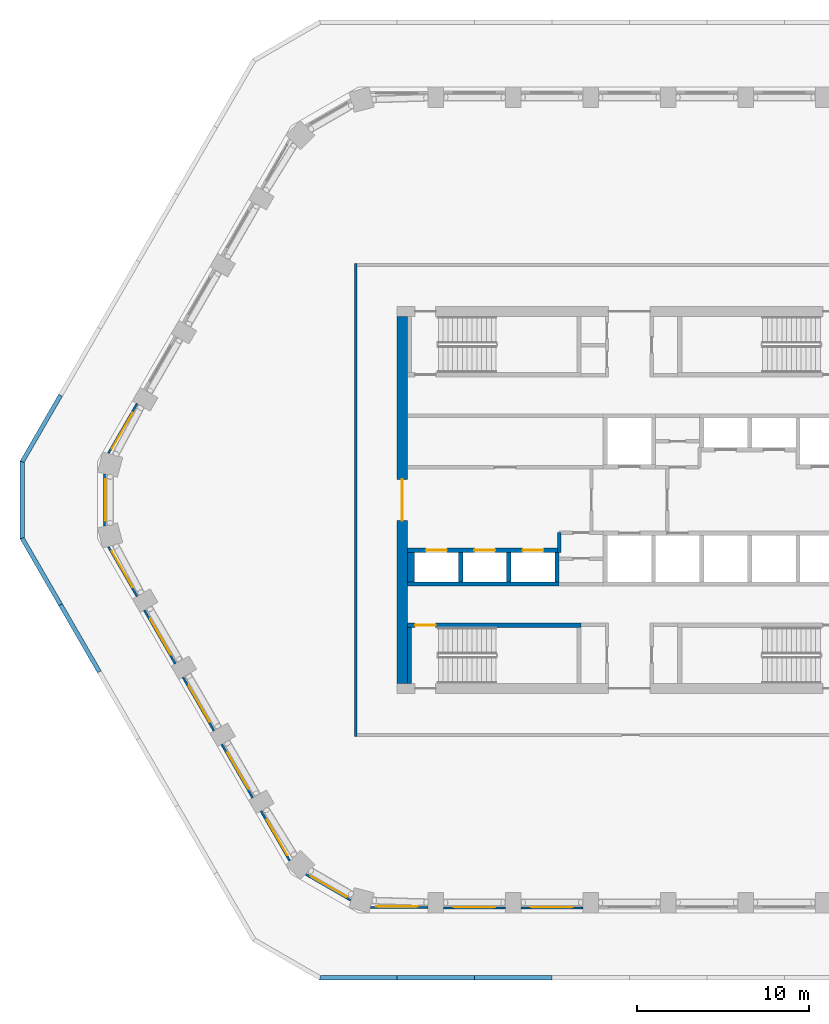
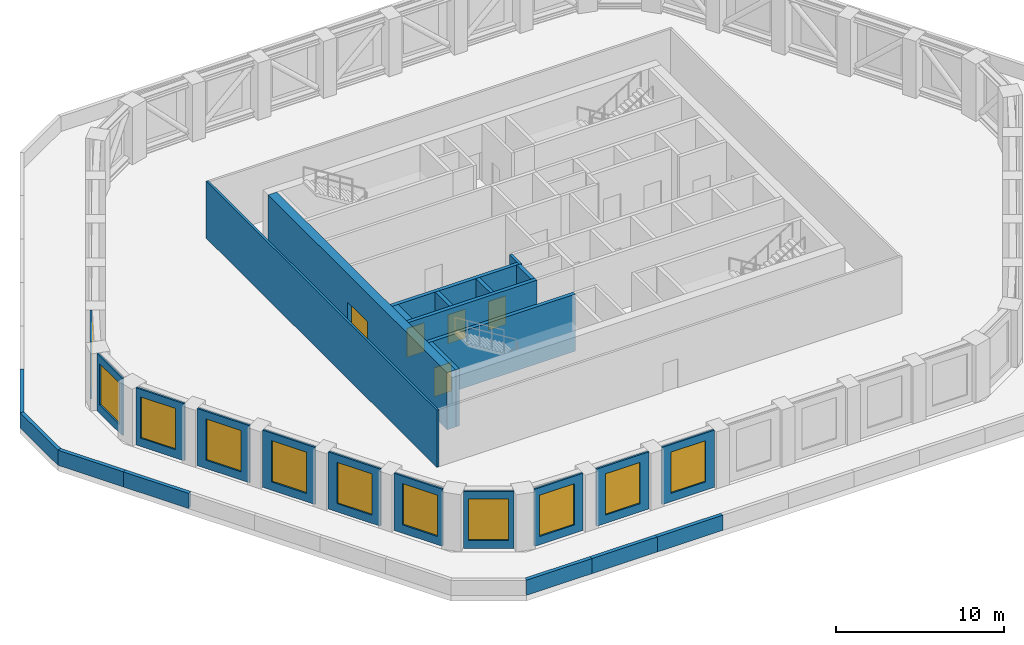
# One storey, part 3 of 14: 29 walls, 11 windows, 5 doors, 16 openings.
"""IFC4 building model written with IfcOpenShell, lengths in metres."""

from ifc_helpers import new_model, si_unit, direction, frame, frame_2d, origin, place, context, subcontext, project, spatial, polyline, rectangle, outline, extrude, material, layer, layer_set, type_object, element, fill, save


model = new_model("IFC4")

# Units and contexts
model_context = context("Model", 3, precision=1e-05, world=origin(), true_north=direction((0.0, 1.0)))
body_context = subcontext(model_context, "Body", "Model", "MODEL_VIEW")
ifc_project = project(units=[si_unit("LENGTHUNIT", "METRE"), si_unit("AREAUNIT", "SQUARE_METRE"), si_unit("VOLUMEUNIT", "CUBIC_METRE"), si_unit("PLANEANGLEUNIT", "RADIAN"), si_unit("MASSUNIT", "GRAM", prefix="KILO")], contexts=[model_context])

# Site, building, storey
site_placement = place(None, origin())
site = spatial("IfcSite", under=ifc_project, at=site_placement, CompositionType="ELEMENT")
building_placement = place(site_placement, origin())
building = spatial("IfcBuilding", under=site, at=building_placement, Name="Dhurran Vertical Campus", CompositionType="ELEMENT")
storey_placement = place(building_placement, frame((0.0, 0.0, 179.39990234375)))
storey = spatial("IfcBuildingStorey", under=building, at=storey_placement, Name="L44 Plant", CompositionType="ELEMENT", Elevation=179.39990234375)

# Wall, opening, window
ifc_material_1 = material(Name="Precast concrete C50/60", Category="concrete")
ifc_layer_1 = layer(ifc_material_1, 0.1201171875)
ifc_layer_set_1 = layer_set([ifc_layer_1], Name="Precast concrete C50/60")
wall_type_1 = type_object("IfcWallType", Name="Precast louvre-bay panel 120", PredefinedType="SOLIDWALL", material=ifc_layer_set_1)
wall_1_placement = place(storey_placement, frame((-15.02783203125, -23.66943359375, 0.0), z_axis=(0.0, 0.0, 1.0), x_axis=(1.0, 0.0, 0.0)))
wall_1 = element("IfcWall", 1, at=wall_1_placement, inside=storey, type_object=wall_type_1, Name="EW4 L44.00", PredefinedType="SOLIDWALL", context=body_context, shape_type="SweptSolid", body=[
    extrude(rectangle(XDim=3.327392578125, YDim=0.1201171875, at=frame_2d((1.66357421875, 0.0))), origin(), (0.0, 0.0, 1.0), 4.150146484375),
])
opening_1_placement = place(wall_1_placement, frame((0.327880859375, 0.0, 0.60009765625)))
opening_1 = element("IfcOpeningElement", 2, at=opening_1_placement, cuts=wall_1, Name="Opening WT4", PredefinedType="OPENING", context=body_context, shape_type="SweptSolid", body=[
    extrude(rectangle(XDim=2.39990234375, YDim=3.0, at=frame_2d((1.199951171875, 1.5))), frame((0.0, 0.070068359375, 0.0), z_axis=(0.0, -1.0, 0.0), x_axis=(1.0, 0.0, 0.0)), (0.0, 0.0, 1.0), 0.14013671875),
])
ifc_material_2 = material(Name="Aluminium louvre", Category="aluminium")
window_type = type_object("IfcWindowType", Name="Louvred plant vent 2400 x 3000", PartitioningType="SINGLE_PANEL", PredefinedType="WINDOW", material=ifc_material_2)
window_1_placement = place(opening_1_placement, origin())
window_1 = element("IfcWindow", 3, at=window_1_placement, inside=storey, type_object=window_type, Name="WT4 L44.00", OverallHeight=3.0, OverallWidth=2.39990234375, PartitioningType="SINGLE_PANEL", PredefinedType="WINDOW", context=body_context, shape_type="SweptSolid", body=[
    extrude(rectangle(XDim=2.39990234375, YDim=3.0, at=frame_2d((1.199951171875, 1.5))), frame((0.0, 0.06005859375, 0.0), z_axis=(0.0, -1.0, 0.0), x_axis=(1.0, 0.0, 0.0)), (0.0, 0.0, 1.0), 0.02001953125),
])
fill(opening_1, window_1)

wall_2_placement = place(storey_placement, frame((-10.799560546875, -23.705322265625, 0.0), z_axis=(0.0, 0.0, 1.0), x_axis=(1.0, 0.0, 0.0)))
wall_2 = element("IfcWall", 4, at=wall_2_placement, inside=storey, type_object=wall_type_1, Name="EW4 L44.01", PredefinedType="SOLIDWALL", context=body_context, shape_type="SweptSolid", body=[
    extrude(rectangle(XDim=3.59912109375, YDim=0.1201171875, at=frame_2d((1.799560546875, 0.0))), origin(), (0.0, 0.0, 1.0), 4.150146484375),
])
opening_2_placement = place(wall_2_placement, frame((0.599609375, 0.0, 0.60009765625)))
opening_2 = element("IfcOpeningElement", 5, at=opening_2_placement, cuts=wall_2, Name="Opening WT4", PredefinedType="OPENING", context=body_context, shape_type="SweptSolid", body=[
    extrude(rectangle(XDim=2.39990234375, YDim=3.0, at=frame_2d((1.199951171875, 1.5))), frame((0.0, 0.070068359375, 0.0), z_axis=(0.0, -1.0, 0.0), x_axis=(1.0, 0.0, 0.0)), (0.0, 0.0, 1.0), 0.14013671875),
])
window_2_placement = place(opening_2_placement, origin())
window_2 = element("IfcWindow", 6, at=window_2_placement, inside=storey, type_object=window_type, Name="WT4 L44.01", OverallHeight=3.0, OverallWidth=2.39990234375, PartitioningType="SINGLE_PANEL", PredefinedType="WINDOW", context=body_context, shape_type="SweptSolid", body=[
    extrude(rectangle(XDim=2.39990234375, YDim=3.0, at=frame_2d((1.199951171875, 1.5))), frame((0.0, 0.06005859375, 0.0), z_axis=(0.0, -1.0, 0.0), x_axis=(1.0, 0.0, 0.0)), (0.0, 0.0, 1.0), 0.02001953125),
])
fill(opening_2, window_2)

wall_3_placement = place(storey_placement, frame((-6.299560546875, -23.705322265625, 0.0), z_axis=(0.0, 0.0, 1.0), x_axis=(1.0, 0.0, 0.0)))
wall_3 = element("IfcWall", 7, at=wall_3_placement, inside=storey, type_object=wall_type_1, Name="EW4 L44.02", PredefinedType="SOLIDWALL", context=body_context, shape_type="SweptSolid", body=[
    extrude(rectangle(XDim=3.59912109375, YDim=0.1201171875, at=frame_2d((1.799560546875, 0.0))), origin(), (0.0, 0.0, 1.0), 4.150146484375),
])
opening_3_placement = place(wall_3_placement, frame((0.599609375, 0.0, 0.60009765625)))
opening_3 = element("IfcOpeningElement", 8, at=opening_3_placement, cuts=wall_3, Name="Opening WT4", PredefinedType="OPENING", context=body_context, shape_type="SweptSolid", body=[
    extrude(rectangle(XDim=2.39990234375, YDim=3.0, at=frame_2d((1.199951171875, 1.5))), frame((0.0, 0.070068359375, 0.0), z_axis=(0.0, -1.0, 0.0), x_axis=(1.0, 0.0, 0.0)), (0.0, 0.0, 1.0), 0.14013671875),
])
window_3_placement = place(opening_3_placement, origin())
window_3 = element("IfcWindow", 9, at=window_3_placement, inside=storey, type_object=window_type, Name="WT4 L44.02", OverallHeight=3.0, OverallWidth=2.39990234375, PartitioningType="SINGLE_PANEL", PredefinedType="WINDOW", context=body_context, shape_type="SweptSolid", body=[
    extrude(rectangle(XDim=2.39990234375, YDim=3.0, at=frame_2d((1.199951171875, 1.5))), frame((0.0, 0.06005859375, 0.0), z_axis=(0.0, -1.0, 0.0), x_axis=(1.0, 0.0, 0.0)), (0.0, 0.0, 1.0), 0.02001953125),
])
fill(opening_3, window_3)

wall_4_placement = place(storey_placement, frame((-28.598388671875, 5.598876953125, 0.0), z_axis=(0.0, 0.0, 1.0), x_axis=(-0.500029427677, -0.866008413041, 0.0)))
wall_4 = element("IfcWall", 10, at=wall_4_placement, inside=storey, type_object=wall_type_1, Name="EW4 L44.32", PredefinedType="SOLIDWALL", context=body_context, shape_type="SweptSolid", body=[
    extrude(rectangle(XDim=3.327392578125, YDim=0.1201171875, at=frame_2d((1.66357421875, 0.0))), origin(), (0.0, 0.0, 1.0), 4.150146484375),
])
opening_4_placement = place(wall_4_placement, frame((0.599609375, 0.0, 0.60009765625)))
opening_4 = element("IfcOpeningElement", 11, at=opening_4_placement, cuts=wall_4, Name="Opening WT4", PredefinedType="OPENING", context=body_context, shape_type="SweptSolid", body=[
    extrude(rectangle(XDim=2.39990234375, YDim=3.0, at=frame_2d((1.199951171875, 1.5))), frame((0.0, 0.070068359375, 0.0), z_axis=(0.0, -1.0, 0.0), x_axis=(1.0, 0.0, 0.0)), (0.0, 0.0, 1.0), 0.14013671875),
])
window_4_placement = place(opening_4_placement, origin())
window_4 = element("IfcWindow", 12, at=window_4_placement, inside=storey, type_object=window_type, Name="WT4 L44.32", OverallHeight=3.0, OverallWidth=2.39990234375, PartitioningType="SINGLE_PANEL", PredefinedType="WINDOW", context=body_context, shape_type="SweptSolid", body=[
    extrude(rectangle(XDim=2.39990234375, YDim=3.0, at=frame_2d((1.199951171875, 1.5))), frame((0.0, 0.06005859375, 0.0), z_axis=(0.0, -1.0, 0.0), x_axis=(1.0, 0.0, 0.0)), (0.0, 0.0, 1.0), 0.02001953125),
])
fill(opening_4, window_4)

wall_5_placement = place(storey_placement, frame((-30.482177734375, 1.501220703125, 0.0), z_axis=(0.0, 0.0, 1.0), x_axis=(0.0, -1.0, 0.0)))
wall_5 = element("IfcWall", 13, at=wall_5_placement, inside=storey, type_object=wall_type_1, Name="EW4 L44.33", PredefinedType="SOLIDWALL", context=body_context, shape_type="SweptSolid", body=[
    extrude(rectangle(XDim=3.00244140625, YDim=0.1201171875, at=frame_2d((1.501220703125, 0.0))), origin(), (0.0, 0.0, 1.0), 4.150146484375),
])
opening_5_placement = place(wall_5_placement, frame((0.30126953125, 0.0, 0.60009765625)))
opening_5 = element("IfcOpeningElement", 14, at=opening_5_placement, cuts=wall_5, Name="Opening WT4", PredefinedType="OPENING", context=body_context, shape_type="SweptSolid", body=[
    extrude(rectangle(XDim=2.39990234375, YDim=3.0, at=frame_2d((1.199951171875, 1.5))), frame((0.0, 0.070068359375, 0.0), z_axis=(0.0, -1.0, 0.0), x_axis=(1.0, 0.0, 0.0)), (0.0, 0.0, 1.0), 0.14013671875),
])
window_5_placement = place(opening_5_placement, origin())
window_5 = element("IfcWindow", 15, at=window_5_placement, inside=storey, type_object=window_type, Name="WT4 L44.33", OverallHeight=3.0, OverallWidth=2.39990234375, PartitioningType="SINGLE_PANEL", PredefinedType="WINDOW", context=body_context, shape_type="SweptSolid", body=[
    extrude(rectangle(XDim=2.39990234375, YDim=3.0, at=frame_2d((1.199951171875, 1.5))), frame((0.0, 0.06005859375, 0.0), z_axis=(0.0, -1.0, 0.0), x_axis=(1.0, 0.0, 0.0)), (0.0, 0.0, 1.0), 0.02001953125),
])
fill(opening_5, window_5)

wall_6_placement = place(storey_placement, frame((-30.26220703125, -2.71728515625, 0.0), z_axis=(0.0, 0.0, 1.0), x_axis=(0.500029427677, -0.866008413041, 0.0)))
wall_6 = element("IfcWall", 16, at=wall_6_placement, inside=storey, type_object=wall_type_1, Name="EW4 L44.34", PredefinedType="SOLIDWALL", context=body_context, shape_type="SweptSolid", body=[
    extrude(rectangle(XDim=3.327392578125, YDim=0.1201171875, at=frame_2d((1.66357421875, 0.0))), origin(), (0.0, 0.0, 1.0), 4.150146484375),
])
opening_6_placement = place(wall_6_placement, frame((0.327880859375, 0.0, 0.60009765625)))
opening_6 = element("IfcOpeningElement", 17, at=opening_6_placement, cuts=wall_6, Name="Opening WT4", PredefinedType="OPENING", context=body_context, shape_type="SweptSolid", body=[
    extrude(rectangle(XDim=2.39990234375, YDim=3.0, at=frame_2d((1.199951171875, 1.5))), frame((0.0, 0.070068359375, 0.0), z_axis=(0.0, -1.0, 0.0), x_axis=(1.0, 0.0, 0.0)), (0.0, 0.0, 1.0), 0.14013671875),
])
window_6_placement = place(opening_6_placement, origin())
window_6 = element("IfcWindow", 18, at=window_6_placement, inside=storey, type_object=window_type, Name="WT4 L44.34", OverallHeight=3.0, OverallWidth=2.39990234375, PartitioningType="SINGLE_PANEL", PredefinedType="WINDOW", context=body_context, shape_type="SweptSolid", body=[
    extrude(rectangle(XDim=2.39990234375, YDim=3.0, at=frame_2d((1.199951171875, 1.5))), frame((0.0, 0.06005859375, 0.0), z_axis=(0.0, -1.0, 0.0), x_axis=(1.0, 0.0, 0.0)), (0.0, 0.0, 1.0), 0.02001953125),
])
fill(opening_6, window_6)

wall_7_placement = place(storey_placement, frame((-28.17919921875, -6.397216796875, 0.0), z_axis=(0.0, 0.0, 1.0), x_axis=(0.500027802648, -0.866009351323, 0.0)))
wall_7 = element("IfcWall", 19, at=wall_7_placement, inside=storey, type_object=wall_type_1, Name="EW4 L44.35", PredefinedType="SOLIDWALL", context=body_context, shape_type="SweptSolid", body=[
    extrude(rectangle(XDim=3.598876953125, YDim=0.1201171875, at=frame_2d((1.79931640625, 0.0))), origin(), (0.0, 0.0, 1.0), 4.150146484375),
])
opening_7_placement = place(wall_7_placement, frame((0.599609375, 0.0, 0.60009765625)))
opening_7 = element("IfcOpeningElement", 20, at=opening_7_placement, cuts=wall_7, Name="Opening WT4", PredefinedType="OPENING", context=body_context, shape_type="SweptSolid", body=[
    extrude(rectangle(XDim=2.39990234375, YDim=3.0, at=frame_2d((1.199951171875, 1.5))), frame((0.0, 0.070068359375, 0.0), z_axis=(0.0, -1.0, 0.0), x_axis=(1.0, 0.0, 0.0)), (0.0, 0.0, 1.0), 0.14013671875),
])
window_7_placement = place(opening_7_placement, origin())
window_7 = element("IfcWindow", 21, at=window_7_placement, inside=storey, type_object=window_type, Name="WT4 L44.35", OverallHeight=3.0, OverallWidth=2.39990234375, PartitioningType="SINGLE_PANEL", PredefinedType="WINDOW", context=body_context, shape_type="SweptSolid", body=[
    extrude(rectangle(XDim=2.39990234375, YDim=3.0, at=frame_2d((1.199951171875, 1.5))), frame((0.0, 0.06005859375, 0.0), z_axis=(0.0, -1.0, 0.0), x_axis=(1.0, 0.0, 0.0)), (0.0, 0.0, 1.0), 0.02001953125),
])
fill(opening_7, window_7)

wall_8_placement = place(storey_placement, frame((-25.92919921875, -10.294189453125, 0.0), z_axis=(0.0, 0.0, 1.0), x_axis=(0.499998428639, -0.866026311008, 0.0)))
wall_8 = element("IfcWall", 22, at=wall_8_placement, inside=storey, type_object=wall_type_1, Name="EW4 L44.36", PredefinedType="SOLIDWALL", context=body_context, shape_type="SweptSolid", body=[
    extrude(rectangle(XDim=3.59912109375, YDim=0.1201171875, at=frame_2d((1.799560546875, 0.0))), origin(), (0.0, 0.0, 1.0), 4.150146484375),
])
opening_8_placement = place(wall_8_placement, frame((0.599609375, 0.0, 0.60009765625)))
opening_8 = element("IfcOpeningElement", 23, at=opening_8_placement, cuts=wall_8, Name="Opening WT4", PredefinedType="OPENING", context=body_context, shape_type="SweptSolid", body=[
    extrude(rectangle(XDim=2.39990234375, YDim=3.0, at=frame_2d((1.199951171875, 1.5))), frame((0.0, 0.070068359375, 0.0), z_axis=(0.0, -1.0, 0.0), x_axis=(1.0, 0.0, 0.0)), (0.0, 0.0, 1.0), 0.14013671875),
])
window_8_placement = place(opening_8_placement, origin())
window_8 = element("IfcWindow", 24, at=window_8_placement, inside=storey, type_object=window_type, Name="WT4 L44.36", OverallHeight=3.0, OverallWidth=2.39990234375, PartitioningType="SINGLE_PANEL", PredefinedType="WINDOW", context=body_context, shape_type="SweptSolid", body=[
    extrude(rectangle(XDim=2.39990234375, YDim=3.0, at=frame_2d((1.199951171875, 1.5))), frame((0.0, 0.06005859375, 0.0), z_axis=(0.0, -1.0, 0.0), x_axis=(1.0, 0.0, 0.0)), (0.0, 0.0, 1.0), 0.02001953125),
])
fill(opening_8, window_8)

wall_9_placement = place(storey_placement, frame((-23.67919921875, -14.19140625, 0.0), z_axis=(0.0, 0.0, 1.0), x_axis=(0.500027802648, -0.866009351323, 0.0)))
wall_9 = element("IfcWall", 25, at=wall_9_placement, inside=storey, type_object=wall_type_1, Name="EW4 L44.37", PredefinedType="SOLIDWALL", context=body_context, shape_type="SweptSolid", body=[
    extrude(rectangle(XDim=3.598876953125, YDim=0.1201171875, at=frame_2d((1.79931640625, 0.0))), origin(), (0.0, 0.0, 1.0), 4.150146484375),
])
opening_9_placement = place(wall_9_placement, frame((0.599609375, 0.0, 0.60009765625)))
opening_9 = element("IfcOpeningElement", 26, at=opening_9_placement, cuts=wall_9, Name="Opening WT4", PredefinedType="OPENING", context=body_context, shape_type="SweptSolid", body=[
    extrude(rectangle(XDim=2.39990234375, YDim=3.0, at=frame_2d((1.199951171875, 1.5))), frame((0.0, 0.070068359375, 0.0), z_axis=(0.0, -1.0, 0.0), x_axis=(1.0, 0.0, 0.0)), (0.0, 0.0, 1.0), 0.14013671875),
])
window_9_placement = place(opening_9_placement, origin())
window_9 = element("IfcWindow", 27, at=window_9_placement, inside=storey, type_object=window_type, Name="WT4 L44.37", OverallHeight=3.0, OverallWidth=2.39990234375, PartitioningType="SINGLE_PANEL", PredefinedType="WINDOW", context=body_context, shape_type="SweptSolid", body=[
    extrude(rectangle(XDim=2.39990234375, YDim=3.0, at=frame_2d((1.199951171875, 1.5))), frame((0.0, 0.06005859375, 0.0), z_axis=(0.0, -1.0, 0.0), x_axis=(1.0, 0.0, 0.0)), (0.0, 0.0, 1.0), 0.02001953125),
])
fill(opening_9, window_9)

wall_10_placement = place(storey_placement, frame((-21.39794921875, -18.070556640625, 0.0), z_axis=(0.0, 0.0, 1.0), x_axis=(0.500006170614, -0.866021841149, 0.0)))
wall_10 = element("IfcWall", 28, at=wall_10_placement, inside=storey, type_object=wall_type_1, Name="EW4 L44.38", PredefinedType="SOLIDWALL", context=body_context, shape_type="SweptSolid", body=[
    extrude(rectangle(XDim=3.3271484375, YDim=0.1201171875, at=frame_2d((1.66357421875, 0.0))), origin(), (0.0, 0.0, 1.0), 4.150146484375),
])
opening_10_placement = place(wall_10_placement, frame((0.599609375, 0.0, 0.60009765625)))
opening_10 = element("IfcOpeningElement", 29, at=opening_10_placement, cuts=wall_10, Name="Opening WT4", PredefinedType="OPENING", context=body_context, shape_type="SweptSolid", body=[
    extrude(rectangle(XDim=2.39990234375, YDim=3.0, at=frame_2d((1.199951171875, 1.5))), frame((0.0, 0.070068359375, 0.0), z_axis=(0.0, -1.0, 0.0), x_axis=(1.0, 0.0, 0.0)), (0.0, 0.0, 1.0), 0.14013671875),
])
window_10_placement = place(opening_10_placement, origin())
window_10 = element("IfcWindow", 30, at=window_10_placement, inside=storey, type_object=window_type, Name="WT4 L44.38", OverallHeight=3.0, OverallWidth=2.39990234375, PartitioningType="SINGLE_PANEL", PredefinedType="WINDOW", context=body_context, shape_type="SweptSolid", body=[
    extrude(rectangle(XDim=2.39990234375, YDim=3.0, at=frame_2d((1.199951171875, 1.5))), frame((0.0, 0.06005859375, 0.0), z_axis=(0.0, -1.0, 0.0), x_axis=(1.0, 0.0, 0.0)), (0.0, 0.0, 1.0), 0.02001953125),
])
fill(opening_10, window_10)

wall_11_placement = place(storey_placement, frame((-18.791259765625, -21.75048828125, 0.0), z_axis=(0.0, 0.0, 1.0), x_axis=(0.866037998184, -0.499978185225, 0.0)))
wall_11 = element("IfcWall", 31, at=wall_11_placement, inside=storey, type_object=wall_type_1, Name="EW4 L44.39", PredefinedType="SOLIDWALL", context=body_context, shape_type="SweptSolid", body=[
    extrude(rectangle(XDim=3.002685546875, YDim=0.1201171875, at=frame_2d((1.50146484375, 0.0))), origin(), (0.0, 0.0, 1.0), 4.150146484375),
])
opening_11_placement = place(wall_11_placement, frame((0.30126953125, 0.0, 0.60009765625)))
opening_11 = element("IfcOpeningElement", 32, at=opening_11_placement, cuts=wall_11, Name="Opening WT4", PredefinedType="OPENING", context=body_context, shape_type="SweptSolid", body=[
    extrude(rectangle(XDim=2.39990234375, YDim=3.0, at=frame_2d((1.199951171875, 1.5))), frame((0.0, 0.070068359375, 0.0), z_axis=(0.0, -1.0, 0.0), x_axis=(1.0, 0.0, 0.0)), (0.0, 0.0, 1.0), 0.14013671875),
])
window_11_placement = place(opening_11_placement, origin())
window_11 = element("IfcWindow", 33, at=window_11_placement, inside=storey, type_object=window_type, Name="WT4 L44.39", OverallHeight=3.0, OverallWidth=2.39990234375, PartitioningType="SINGLE_PANEL", PredefinedType="WINDOW", context=body_context, shape_type="SweptSolid", body=[
    extrude(rectangle(XDim=2.39990234375, YDim=3.0, at=frame_2d((1.199951171875, 1.5))), frame((0.0, 0.06005859375, 0.0), z_axis=(0.0, -1.0, 0.0), x_axis=(1.0, 0.0, 0.0)), (0.0, 0.0, 1.0), 0.02001953125),
])
fill(opening_11, window_11)

# Walls
ifc_material_3 = material(Name="Precast concrete C50/60", Category="concrete")
ifc_layer_2 = layer(ifc_material_3, 0.25)
ifc_layer_set_2 = layer_set([ifc_layer_2], Name="Precast concrete C50/60")
wall_type_2 = type_object("IfcWallType", Name="Precast parapet 250", PredefinedType="PARAPET", material=ifc_layer_set_2)
wall_12_placement = place(storey_placement, origin())
element("IfcWall", 34, at=wall_12_placement, inside=storey, type_object=wall_type_2, Name="PW1 L44.00", PredefinedType="PARAPET", context=body_context, shape_type="SweptSolid", body=[
    extrude(outline(polyline([(-18.0, -27.8828125), (-13.5, -27.8828125), (-13.5, -27.6328125), (-17.93310546875, -27.6328125), (-18.0, -27.8828125)])), origin(), (0.0, 0.0, 1.0), 1.10009765625),
])
wall_13_placement = place(storey_placement, origin())
element("IfcWall", 35, at=wall_13_placement, inside=storey, type_object=wall_type_2, Name="PW1 L44.01", PredefinedType="PARAPET", context=body_context, shape_type="SweptSolid", body=[
    extrude(outline(polyline([(-13.5, -27.8828125), (-9.0, -27.8828125), (-9.0, -27.6328125), (-13.5, -27.6328125), (-13.5, -27.8828125)])), origin(), (0.0, 0.0, 1.0), 1.10009765625),
])
wall_14_placement = place(storey_placement, origin())
element("IfcWall", 36, at=wall_14_placement, inside=storey, type_object=wall_type_2, Name="PW1 L44.02", PredefinedType="PARAPET", context=body_context, shape_type="SweptSolid", body=[
    extrude(outline(polyline([(-9.0, -27.8828125), (-4.5, -27.8828125), (-4.5, -27.6328125), (-9.0, -27.6328125), (-9.0, -27.8828125)])), origin(), (0.0, 0.0, 1.0), 1.10009765625),
])
wall_15_placement = place(storey_placement, origin())
element("IfcWall", 37, at=wall_15_placement, inside=storey, type_object=wall_type_2, Name="PW1 L44.37", PredefinedType="PARAPET", context=body_context, shape_type="SweptSolid", body=[
    extrude(outline(polyline([(-33.147216796875, 6.147216796875), (-35.397216796875, 2.25), (-35.147216796875, 2.18310546875), (-32.9306640625, 6.022216796875), (-33.147216796875, 6.147216796875)])), origin(), (0.0, 0.0, 1.0), 1.10009765625),
])
wall_16_placement = place(storey_placement, origin())
element("IfcWall", 38, at=wall_16_placement, inside=storey, type_object=wall_type_2, Name="PW1 L44.38", PredefinedType="PARAPET", context=body_context, shape_type="SweptSolid", body=[
    extrude(outline(polyline([(-35.397216796875, 2.25), (-35.397216796875, -2.25), (-35.147216796875, -2.18310546875), (-35.147216796875, 2.18310546875), (-35.397216796875, 2.25)])), origin(), (0.0, 0.0, 1.0), 1.10009765625),
])
wall_17_placement = place(storey_placement, origin())
element("IfcWall", 39, at=wall_17_placement, inside=storey, type_object=wall_type_2, Name="PW1 L44.39", PredefinedType="PARAPET", context=body_context, shape_type="SweptSolid", body=[
    extrude(outline(polyline([(-35.397216796875, -2.25), (-33.147216796875, -6.147216796875), (-32.9306640625, -6.022216796875), (-35.147216796875, -2.18310546875), (-35.397216796875, -2.25)])), origin(), (0.0, 0.0, 1.0), 1.10009765625),
])
wall_18_placement = place(storey_placement, origin())
element("IfcWall", 40, at=wall_18_placement, inside=storey, type_object=wall_type_2, Name="PW1 L44.40", PredefinedType="PARAPET", context=body_context, shape_type="SweptSolid", body=[
    extrude(outline(polyline([(-33.147216796875, -6.147216796875), (-30.897216796875, -10.044189453125), (-30.6806640625, -9.919189453125), (-32.9306640625, -6.022216796875), (-33.147216796875, -6.147216796875)])), origin(), (0.0, 0.0, 1.0), 1.10009765625),
])

# Wall, opening, door
ifc_material_4 = material(Name="Concrete C50/60", Category="concrete")
ifc_layer_3 = layer(ifc_material_4, 0.60009765625)
ifc_layer_set_3 = layer_set([ifc_layer_3], Name="Concrete C50/60")
wall_type_3 = type_object("IfcWallType", Name="co-CORE-WALL-C2-600", PredefinedType="SHEAR", material=ifc_layer_set_3)
wall_19_placement = place(storey_placement, frame((-13.199951171875, -10.64990234375, 0.0), z_axis=(0.0, 0.0, 1.0), x_axis=(0.0, 1.0, 0.0)))
wall_19 = element("IfcWall", 41, at=wall_19_placement, inside=storey, type_object=wall_type_3, Name="Core wall W L44", PredefinedType="SHEAR", context=body_context, shape_type="SweptSolid", body=[
    extrude(rectangle(XDim=21.2998046875, YDim=0.60009765625, at=frame_2d((10.64990234375, 0.0))), origin(), (0.0, 0.0, 1.0), 4.150146484375),
])
opening_12_placement = place(wall_19_placement, frame((9.449951171875, 0.0, 0.0)))
opening_12 = element("IfcOpeningElement", 42, at=opening_12_placement, cuts=wall_19, Name="Opening CL1", PredefinedType="OPENING", context=body_context, shape_type="SweptSolid", body=[
    extrude(rectangle(XDim=2.39990234375, YDim=2.10009765625, at=frame_2d((1.199951171875, 1.050048828125))), frame((0.0, 0.31005859375, 0.0), z_axis=(0.0, -1.0, 0.0), x_axis=(1.0, 0.0, 0.0)), (0.0, 0.0, 1.0), 0.6201171875),
])
ifc_material_5 = material(Name="Fire-rated glazed door set")
door_type_1 = type_object("IfcDoorType", Name="co-D-LOBBY 2400x2100", OperationType="DOUBLE_DOOR_DOUBLE_SWING", PredefinedType="DOOR", material=ifc_material_5)
door_1_placement = place(opening_12_placement, origin())
door_1 = element("IfcDoor", 43, at=door_1_placement, inside=storey, type_object=door_type_1, Name="Lift lobby door W L44", OperationType="DOUBLE_DOOR_DOUBLE_SWING", OverallHeight=2.10009765625, OverallWidth=2.39990234375, PredefinedType="DOOR", context=body_context, shape_type="SweptSolid", body=[
    extrude(rectangle(XDim=2.39990234375, YDim=2.10009765625, at=frame_2d((1.199951171875, 1.050048828125))), frame((0.0, 0.02490234375, 0.0), z_axis=(0.0, -1.0, 0.0), x_axis=(1.0, 0.0, 0.0)), (0.0, 0.0, 1.0), 0.050048828125),
])
fill(opening_12, door_1)

# Wall
ifc_material_6 = material(Name="Fire-rated masonry blockwork", Category="masonry")
ifc_layer_4 = layer(ifc_material_6, 0.199951171875)
ifc_layer_set_4 = layer_set([ifc_layer_4], Name="Fire-rated masonry blockwork")
wall_type_4 = type_object("IfcWallType", Name="co-FIRE-PARTITION-200", PredefinedType="PARTITIONING", material=ifc_layer_set_4)
wall_20_placement = place(storey_placement, frame((-4.074951171875, -1.89990234375, 0.0), z_axis=(0.0, 0.0, 1.0), x_axis=(0.0, -1.0, 0.0)))
element("IfcWall", 44, at=wall_20_placement, inside=storey, type_object=wall_type_4, Name="Core partition fr-S0-n0 L44", PredefinedType="PARTITIONING", context=body_context, shape_type="SweptSolid", body=[
    extrude(rectangle(XDim=1.150146484375, YDim=0.199951171875, at=frame_2d((0.5751953125, 0.0))), origin(), (0.0, 0.0, 1.0), 4.150146484375),
])

# Wall, openings, doors
ifc_material_7 = material(Name="Concrete C50/60", Category="concrete")
ifc_layer_5 = layer(ifc_material_7, 0.25)
ifc_layer_set_5 = layer_set([ifc_layer_5], Name="Concrete C50/60")
wall_type_5 = type_object("IfcWallType", Name="co-SHAFT-FRONT-250", PredefinedType="SHEAR", material=ifc_layer_set_5)
wall_21_placement = place(storey_placement, frame((-12.89990234375, -2.925048828125, 0.0), z_axis=(0.0, 0.0, 1.0), x_axis=(1.0, 0.0, 0.0)))
wall_21 = element("IfcWall", 45, at=wall_21_placement, inside=storey, type_object=wall_type_5, Name="Lift landing wall S L44", PredefinedType="SHEAR", context=body_context, shape_type="SweptSolid", body=[
    extrude(rectangle(XDim=8.824951171875, YDim=0.25, at=frame_2d((4.41259765625, 0.0))), origin(), (0.0, 0.0, 1.0), 4.150146484375),
])
opening_13_placement = place(wall_21_placement, frame((1.10009765625, 0.0, 0.0)))
opening_13 = element("IfcOpeningElement", 46, at=opening_13_placement, cuts=wall_21, Name="Opening LD", PredefinedType="OPENING", context=body_context, shape_type="SweptSolid", body=[
    extrude(rectangle(XDim=1.199951171875, YDim=2.10009765625, at=frame_2d((0.60009765625, 1.050048828125))), frame((0.0, 0.135009765625, 0.0), z_axis=(0.0, -1.0, 0.0), x_axis=(1.0, 0.0, 0.0)), (0.0, 0.0, 1.0), 0.27001953125),
])
opening_14_placement = place(wall_21_placement, frame((3.89990234375, 0.0, 0.0)))
opening_14 = element("IfcOpeningElement", 47, at=opening_14_placement, cuts=wall_21, Name="Opening LD", PredefinedType="OPENING", context=body_context, shape_type="SweptSolid", body=[
    extrude(rectangle(XDim=1.199951171875, YDim=2.10009765625, at=frame_2d((0.60009765625, 1.050048828125))), frame((0.0, 0.135009765625, 0.0), z_axis=(0.0, -1.0, 0.0), x_axis=(1.0, 0.0, 0.0)), (0.0, 0.0, 1.0), 0.27001953125),
])
opening_15_placement = place(wall_21_placement, frame((6.699951171875, 0.0, 0.0)))
opening_15 = element("IfcOpeningElement", 48, at=opening_15_placement, cuts=wall_21, Name="Opening LD", PredefinedType="OPENING", context=body_context, shape_type="SweptSolid", body=[
    extrude(rectangle(XDim=1.199951171875, YDim=2.10009765625, at=frame_2d((0.60009765625, 1.050048828125))), frame((0.0, 0.135009765625, 0.0), z_axis=(0.0, -1.0, 0.0), x_axis=(1.0, 0.0, 0.0)), (0.0, 0.0, 1.0), 0.27001953125),
])
ifc_material_8 = material(Name="Stainless steel landing door", Category="steel")
door_type_2 = type_object("IfcDoorType", Name="co-D-LANDING 1200x2100", OperationType="DOUBLE_DOOR_SLIDING", PredefinedType="DOOR", material=ifc_material_8)
door_2_placement = place(opening_13_placement, origin())
door_2 = element("IfcDoor", 49, at=door_2_placement, inside=storey, type_object=door_type_2, Name="Landing door MR3 L44", OperationType="DOUBLE_DOOR_SLIDING", OverallHeight=2.10009765625, OverallWidth=1.199951171875, PredefinedType="DOOR", context=body_context, shape_type="SweptSolid", body=[
    extrude(rectangle(XDim=1.199951171875, YDim=2.10009765625, at=frame_2d((0.60009765625, 1.050048828125))), frame((0.0, 0.02490234375, 0.0), z_axis=(0.0, -1.0, 0.0), x_axis=(1.0, 0.0, 0.0)), (0.0, 0.0, 1.0), 0.050048828125),
])
fill(opening_13, door_2)
door_3_placement = place(opening_14_placement, origin())
door_3 = element("IfcDoor", 50, at=door_3_placement, inside=storey, type_object=door_type_2, Name="Landing door MR4 L44", OperationType="DOUBLE_DOOR_SLIDING", OverallHeight=2.10009765625, OverallWidth=1.199951171875, PredefinedType="DOOR", context=body_context, shape_type="SweptSolid", body=[
    extrude(rectangle(XDim=1.199951171875, YDim=2.10009765625, at=frame_2d((0.60009765625, 1.050048828125))), frame((0.0, 0.02490234375, 0.0), z_axis=(0.0, -1.0, 0.0), x_axis=(1.0, 0.0, 0.0)), (0.0, 0.0, 1.0), 0.050048828125),
])
fill(opening_14, door_3)
door_4_placement = place(opening_15_placement, origin())
door_4 = element("IfcDoor", 51, at=door_4_placement, inside=storey, type_object=door_type_2, Name="Landing door MR5 L44", OperationType="DOUBLE_DOOR_SLIDING", OverallHeight=2.10009765625, OverallWidth=1.199951171875, PredefinedType="DOOR", context=body_context, shape_type="SweptSolid", body=[
    extrude(rectangle(XDim=1.199951171875, YDim=2.10009765625, at=frame_2d((0.60009765625, 1.050048828125))), frame((0.0, 0.02490234375, 0.0), z_axis=(0.0, -1.0, 0.0), x_axis=(1.0, 0.0, 0.0)), (0.0, 0.0, 1.0), 0.050048828125),
])
fill(opening_15, door_4)

# Walls
ifc_material_9 = material(Name="Concrete C50/60", Category="concrete")
ifc_layer_6 = layer(ifc_material_9, 0.25)
ifc_layer_set_6 = layer_set([ifc_layer_6], Name="Concrete C50/60")
wall_type_6 = type_object("IfcWallType", Name="co-SHAFT-MASS-250", PredefinedType="SHEAR", material=ifc_layer_set_6)
wall_22_placement = place(storey_placement, origin())
element("IfcWall", 52, at=wall_22_placement, inside=storey, type_object=wall_type_6, Name="Lift shaft wall S L44 1", PredefinedType="SHEAR", context=body_context, shape_type="SweptSolid", body=[
    extrude(outline(polyline([(-12.89990234375, -5.0), (-4.074951171875, -5.0), (-4.074951171875, -4.75), (-12.89990234375, -4.75), (-12.89990234375, -5.0)])), origin(), (0.0, 0.0, 1.0), 4.150146484375),
])
wall_23_placement = place(storey_placement, origin())
element("IfcWall", 53, at=wall_23_placement, inside=storey, type_object=wall_type_6, Name="Lift shaft wall S L44 3", PredefinedType="SHEAR", context=body_context, shape_type="SweptSolid", body=[
    extrude(outline(polyline([(-12.89990234375, -4.75), (-12.47509765625, -4.75), (-12.47509765625, -3.050048828125), (-12.89990234375, -3.050048828125), (-12.89990234375, -4.75)])), origin(), (0.0, 0.0, 1.0), 4.150146484375),
])
wall_24_placement = place(storey_placement, origin())
element("IfcWall", 54, at=wall_24_placement, inside=storey, type_object=wall_type_6, Name="Lift shaft wall S L44 4", PredefinedType="SHEAR", context=body_context, shape_type="SweptSolid", body=[
    extrude(outline(polyline([(-9.925048828125, -4.75), (-9.675048828125, -4.75), (-9.675048828125, -3.050048828125), (-9.925048828125, -3.050048828125), (-9.925048828125, -4.75)])), origin(), (0.0, 0.0, 1.0), 4.150146484375),
])
wall_25_placement = place(storey_placement, origin())
element("IfcWall", 55, at=wall_25_placement, inside=storey, type_object=wall_type_6, Name="Lift shaft wall S L44 5", PredefinedType="SHEAR", context=body_context, shape_type="SweptSolid", body=[
    extrude(outline(polyline([(-7.125, -4.75), (-6.875, -4.75), (-6.875, -3.050048828125), (-7.125, -3.050048828125), (-7.125, -4.75)])), origin(), (0.0, 0.0, 1.0), 4.150146484375),
])
wall_26_placement = place(storey_placement, origin())
element("IfcWall", 56, at=wall_26_placement, inside=storey, type_object=wall_type_6, Name="Lift shaft wall S L44 6", PredefinedType="SHEAR", context=body_context, shape_type="SweptSolid", body=[
    extrude(outline(polyline([(-4.324951171875, -4.75), (-4.074951171875, -4.75), (-4.074951171875, -3.050048828125), (-4.324951171875, -3.050048828125), (-4.324951171875, -4.75)])), origin(), (0.0, 0.0, 1.0), 4.150146484375),
])

# Wall, opening, door
ifc_material_10 = material(Name="Concrete C40/50", Category="concrete")
ifc_layer_7 = layer(ifc_material_10, 0.25)
ifc_layer_set_7 = layer_set([ifc_layer_7], Name="Concrete C40/50")
wall_type_7 = type_object("IfcWallType", Name="co-STAIR-WALL-250", PredefinedType="SHEAR", material=ifc_layer_set_7)
wall_27_placement = place(storey_placement, frame((-12.89990234375, -7.27490234375, 0.0), z_axis=(0.0, 0.0, 1.0), x_axis=(1.0, 0.0, 0.0)))
wall_27 = element("IfcWall", 57, at=wall_27_placement, inside=storey, type_object=wall_type_7, Name="Stair ST3 enclosure wall L44", PredefinedType="SHEAR", context=body_context, shape_type="SweptSolid", body=[
    extrude(rectangle(XDim=10.099853515625, YDim=0.25, at=frame_2d((5.0498046875, 0.0))), origin(), (0.0, 0.0, 1.0), 4.150146484375),
])
opening_16_placement = place(wall_27_placement, frame((0.449951171875, 0.0, 0.0)))
opening_16 = element("IfcOpeningElement", 58, at=opening_16_placement, cuts=wall_27, Name="Opening SD3", PredefinedType="OPENING", context=body_context, shape_type="SweptSolid", body=[
    extrude(rectangle(XDim=1.199951171875, YDim=2.10009765625, at=frame_2d((0.60009765625, 1.050048828125))), frame((0.0, 0.135009765625, 0.0), z_axis=(0.0, -1.0, 0.0), x_axis=(1.0, 0.0, 0.0)), (0.0, 0.0, 1.0), 0.27001953125),
])
ifc_material_11 = material(Name="Fire-rated steel door set", Category="steel")
door_type_3 = type_object("IfcDoorType", Name="co-D-STAIR 1200x2100", OperationType="SINGLE_SWING_LEFT", PredefinedType="DOOR", material=ifc_material_11)
door_5_placement = place(opening_16_placement, origin())
door_5 = element("IfcDoor", 59, at=door_5_placement, inside=storey, type_object=door_type_3, Name="Stair ST3 door L44", OperationType="SINGLE_SWING_LEFT", OverallHeight=2.10009765625, OverallWidth=1.199951171875, PredefinedType="DOOR", context=body_context, shape_type="SweptSolid", body=[
    extrude(rectangle(XDim=1.199951171875, YDim=2.10009765625, at=frame_2d((0.60009765625, 1.050048828125))), frame((0.0, 0.02490234375, 0.0), z_axis=(0.0, -1.0, 0.0), x_axis=(1.0, 0.0, 0.0)), (0.0, 0.0, 1.0), 0.050048828125),
])
fill(opening_16, door_5)

# Walls
wall_28_placement = place(storey_placement, frame((-12.77490234375, -10.64990234375, 0.0), z_axis=(0.0, 0.0, 1.0), x_axis=(0.0, 1.0, 0.0)))
element("IfcWall", 60, at=wall_28_placement, inside=storey, type_object=wall_type_7, Name="Stair ST3 enclosure wall L44", PredefinedType="SHEAR", context=body_context, shape_type="SweptSolid", body=[
    extrude(rectangle(XDim=3.25, YDim=0.25, at=frame_2d((1.625, 0.0))), origin(), (0.0, 0.0, 1.0), 4.150146484375),
])
ifc_material_12 = material(Name="Gypsum board corridor wall on steel studs", Category="steel")
ifc_layer_8 = layer(ifc_material_12, 0.14990234375)
ifc_layer_set_8 = layer_set([ifc_layer_8], Name="Gypsum board corridor wall on steel studs")
wall_type_8 = type_object("IfcWallType", Name="fl-CW-150 corridor wall", PredefinedType="PARTITIONING", material=ifc_layer_set_8)
wall_29_placement = place(storey_placement, frame((-15.89990234375, 13.72509765625, 0.0), z_axis=(0.0, 0.0, 1.0), x_axis=(0.0, -1.0, 0.0)))
element("IfcWall", 61, at=wall_29_placement, inside=storey, type_object=wall_type_8, Name="Partition 44-01", PredefinedType="PARTITIONING", context=body_context, shape_type="SweptSolid", body=[
    extrude(rectangle(XDim=27.4501953125, YDim=0.14990234375, at=frame_2d((13.72509765625, 0.0))), origin(), (0.0, 0.0, 1.0), 4.150146484375),
])

save(model, "model.ifc")
